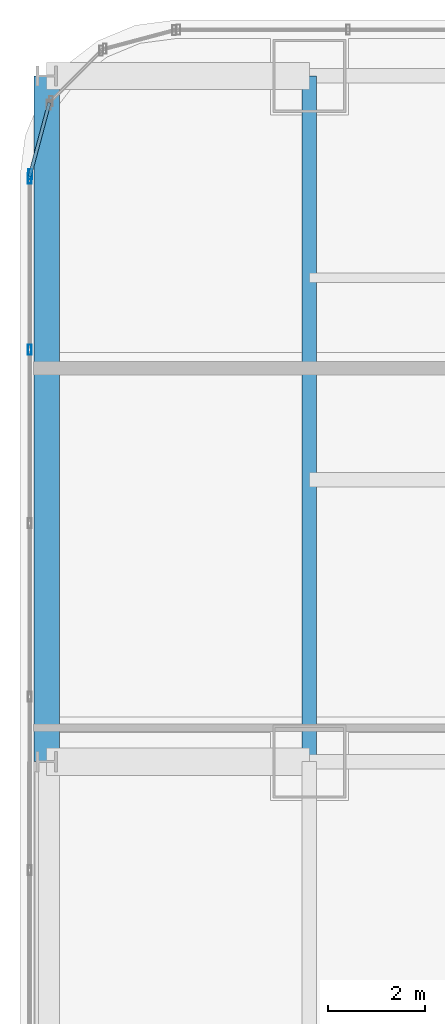
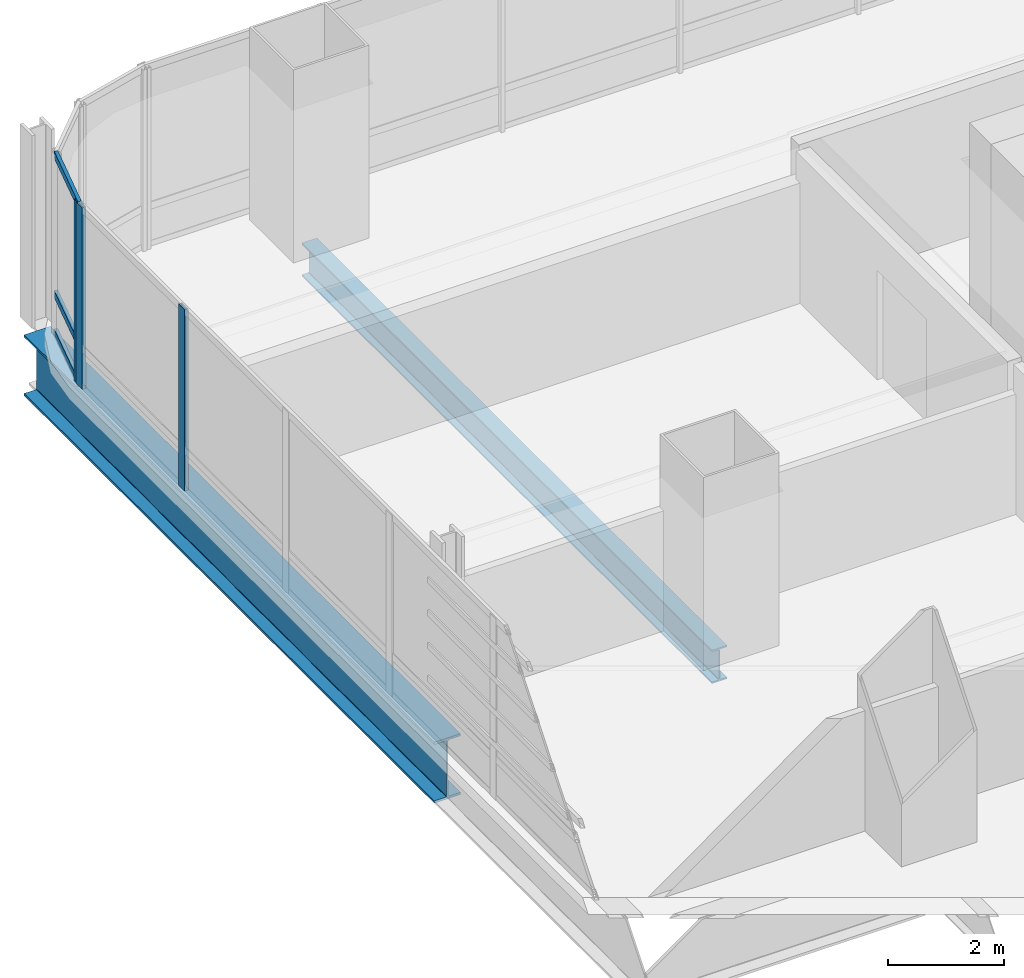
# One storey, part 18 of 36: 6 members, 2 beams, 2 elements without a shape of their own.
"""IFC4 building model written with IfcOpenShell, lengths in metres."""

from ifc_helpers import new_model, si_unit, direction, frame, origin, origin_2d, place, context, subcontext, project, spatial, hollow_rectangle, i_section, extrude, material, material_profile, profile_set, type_object, element, aggregate, save


model = new_model("IFC4")

# Units and contexts
model_context = context("Model", 3, precision=1e-05, world=origin(), true_north=direction((0.0, 1.0)))
body_context = subcontext(model_context, "Body", "Model", "MODEL_VIEW")
ifc_project = project(units=[si_unit("LENGTHUNIT", "METRE"), si_unit("AREAUNIT", "SQUARE_METRE"), si_unit("VOLUMEUNIT", "CUBIC_METRE"), si_unit("PLANEANGLEUNIT", "RADIAN"), si_unit("MASSUNIT", "GRAM", prefix="KILO")], contexts=[model_context])

# Site, building, storey
site_placement = place(None, origin())
site = spatial("IfcSite", under=ifc_project, at=site_placement, CompositionType="ELEMENT")
building_placement = place(site_placement, origin())
building = spatial("IfcBuilding", under=site, at=building_placement, Name="Punatoya Terracotta Tower", CompositionType="ELEMENT")
storey_placement = place(building_placement, frame((0.0, 0.0, 48.449951171875)))
storey = spatial("IfcBuildingStorey", under=building, at=storey_placement, Name="L10", CompositionType="ELEMENT", Elevation=48.449951171875)

# Beams
ifc_material_1 = material(Name="Steel S355", Category="steel")
ifc_material_profile_1 = material_profile(ifc_material_1, i_section(OverallWidth=0.300048828125, OverallDepth=0.699951171875, WebThickness=0.01708984375, FlangeThickness=0.031982421875, FilletRadius=0.01806640625, at=origin_2d()))
ifc_profile_set_1 = profile_set([ifc_material_profile_1], Name="Steel S355")
beam_type_1 = type_object("IfcBeamType", Name="BM-PRI-700", PredefinedType="BEAM", material=ifc_profile_set_1)
beam_1_placement = place(storey_placement, frame((-19.10009765625, 3.39990234375, -0.58984375), z_axis=(0.0, 1.0, 0.0), x_axis=(-1.0, 0.0, 0.0)))
element("IfcBeam", 1, at=beam_1_placement, inside=storey, type_object=beam_type_1, Name="BM-L10-RG-W3", PredefinedType="BEAM", context=body_context, shape_type="SweptSolid", body=[
    extrude(i_section(OverallWidth=0.300048828125, OverallDepth=0.699951171875, WebThickness=0.01708984375, FlangeThickness=0.031982421875, FilletRadius=0.01806640625, at=origin_2d()), origin(), (0.0, 0.0, 1.0), 14.10009765625),
])
ifc_material_2 = material(Name="Steel S460", Category="steel")
ifc_material_profile_2 = material_profile(ifc_material_2, i_section(OverallWidth=0.52001953125, OverallDepth=1.280029296875, WebThickness=0.031982421875, FlangeThickness=0.050048828125, FilletRadius=0.01806640625, at=origin_2d()))
ifc_profile_set_2 = profile_set([ifc_material_profile_2], Name="Steel S460")
beam_type_2 = type_object("IfcBeamType", Name="BM-TG-NCK", PredefinedType="BEAM", material=ifc_profile_set_2)
beam_2_placement = place(storey_placement, frame((-24.5, 3.39990234375, -0.8798828125), z_axis=(0.0, 1.0, 0.0), x_axis=(-1.0, 0.0, 0.0)))
element("IfcBeam", 2, at=beam_2_placement, inside=storey, type_object=beam_type_2, Name="BM-L10-PER-W3", PredefinedType="BEAM", context=body_context, shape_type="SweptSolid", body=[
    extrude(i_section(OverallWidth=0.52001953125, OverallDepth=1.280029296875, WebThickness=0.031982421875, FlangeThickness=0.050048828125, FilletRadius=0.01806640625, at=origin_2d()), origin(), (0.0, 0.0, 1.0), 14.10009765625),
])

# Curtain wall, member
ifc_material_3 = material(Name="Aluminium 6063-T6 + Double Low-E Glass", Category="aluminium")
curtain_wall_type = type_object("IfcCurtainWallType", Name="CW-M1", PredefinedType="NOTDEFINED", material=ifc_material_3)
curtain_wall_1_placement = place(storey_placement, origin())
curtain_wall_1 = element("IfcCurtainWall", 3, at=curtain_wall_1_placement, inside=storey, type_object=curtain_wall_type, Name="L10 Curtain Wall CW-L10-CRN12", PredefinedType="NOTDEFINED")
ifc_material_4 = material(Name="Aluminium 6063-T6", Category="aluminium")
ifc_material_profile_3 = material_profile(ifc_material_4, hollow_rectangle(XDim=0.074951171875, YDim=0.2099609375, WallThickness=0.00439453125, at=origin_2d()))
ifc_profile_set_3 = profile_set([ifc_material_profile_3], Name="Aluminium 6063-T6")
member_type_1 = type_object("IfcMemberType", Name="CW-MUL-M1", PredefinedType="MULLION", material=ifc_profile_set_3)
member_1_placement = place(storey_placement, frame((-24.83837890625, 15.48046875, 0.0), z_axis=(0.0, 0.0, 1.0), x_axis=(1.0, 0.0, 0.0)))
member_1 = element("IfcMember", 4, at=member_1_placement, type_object=member_type_1, Name="CW-L10-CRN12 Mullion 01", PredefinedType="MULLION", context=body_context, shape_type="SweptSolid", body=[
    extrude(hollow_rectangle(XDim=0.074951171875, YDim=0.2099609375, WallThickness=0.00439453125, at=origin_2d()), origin(), (0.0, 0.0, 1.0), 3.81005859375),
])

# Curtain wall, members
curtain_wall_2_placement = place(storey_placement, origin())
curtain_wall_2 = element("IfcCurtainWall", 5, at=curtain_wall_2_placement, inside=storey, type_object=curtain_wall_type, Name="L10 Curtain Wall CW-L10-W13-1", PredefinedType="NOTDEFINED")
member_2_placement = place(storey_placement, frame((-24.85009765625, 15.391845703125, 0.0), z_axis=(0.0, 0.0, 1.0), x_axis=(1.0, 0.0, 0.0)))
member_2 = element("IfcMember", 6, at=member_2_placement, type_object=member_type_1, Name="CW-L10-W13-1 Mullion 00", PredefinedType="MULLION", context=body_context, shape_type="SweptSolid", body=[
    extrude(hollow_rectangle(XDim=0.074951171875, YDim=0.2099609375, WallThickness=0.00439453125, at=origin_2d()), origin(), (0.0, 0.0, 1.0), 3.81005859375),
])
member_3_placement = place(storey_placement, frame((-24.85009765625, 11.869384765625, 0.0), z_axis=(0.0, 0.0, 1.0), x_axis=(1.0, 0.0, 0.0)))
member_3 = element("IfcMember", 7, at=member_3_placement, type_object=member_type_1, Name="CW-L10-W13-1 Mullion 01", PredefinedType="MULLION", context=body_context, shape_type="SweptSolid", body=[
    extrude(hollow_rectangle(XDim=0.074951171875, YDim=0.2099609375, WallThickness=0.00439453125, at=origin_2d()), origin(), (0.0, 0.0, 1.0), 3.81005859375),
])
aggregate(curtain_wall_2, [member_2, member_3])

# Member
ifc_material_profile_4 = material_profile(ifc_material_4, hollow_rectangle(XDim=0.068115234375, YDim=0.14990234375, WallThickness=0.00390625, at=origin_2d()))
ifc_profile_set_4 = profile_set([ifc_material_profile_4], Name="Aluminium 6063-T6")
member_type_2 = type_object("IfcMemberType", Name="CW-TRN-TYP", PredefinedType="USERDEFINED", material=ifc_profile_set_4)
member_4_placement = place(storey_placement, frame((-24.446533203125, 16.94921875, 0.0400390625), z_axis=(-0.257847112249, -0.966185730957, 0.0), x_axis=(0.966185730957, -0.257847112249, 0.0)))
member_4 = element("IfcMember", 8, at=member_4_placement, type_object=member_type_2, Name="CW-L10-CRN12 Transom 1", ObjectType="TRANSOM", PredefinedType="USERDEFINED", context=body_context, shape_type="SweptSolid", body=[
    extrude(hollow_rectangle(XDim=0.068115234375, YDim=0.14990234375, WallThickness=0.00390625, at=origin_2d()), origin(), (0.0, 0.0, 1.0), 1.565185546875),
])

member_5_placement = place(storey_placement, frame((-24.446533203125, 16.94921875, 0.85009765625), z_axis=(-0.257847112249, -0.966185730957, 0.0), x_axis=(0.966185730957, -0.257847112249, 0.0)))
member_5 = element("IfcMember", 9, at=member_5_placement, type_object=member_type_2, Name="CW-L10-CRN12 Transom 2", ObjectType="TRANSOM", PredefinedType="USERDEFINED", context=body_context, shape_type="SweptSolid", body=[
    extrude(hollow_rectangle(XDim=0.068115234375, YDim=0.14990234375, WallThickness=0.00390625, at=origin_2d()), origin(), (0.0, 0.0, 1.0), 1.565185546875),
])

member_6_placement = place(storey_placement, frame((-24.446533203125, 16.94921875, 3.77001953125), z_axis=(-0.257847112249, -0.966185730957, 0.0), x_axis=(0.966185730957, -0.257847112249, 0.0)))
member_6 = element("IfcMember", 10, at=member_6_placement, type_object=member_type_2, Name="CW-L10-CRN12 Transom 3", ObjectType="TRANSOM", PredefinedType="USERDEFINED", context=body_context, shape_type="SweptSolid", body=[
    extrude(hollow_rectangle(XDim=0.068115234375, YDim=0.14990234375, WallThickness=0.00390625, at=origin_2d()), origin(), (0.0, 0.0, 1.0), 1.565185546875),
])

aggregate(curtain_wall_1, [member_1, member_4, member_5, member_6])

save(model, "model.ifc")
